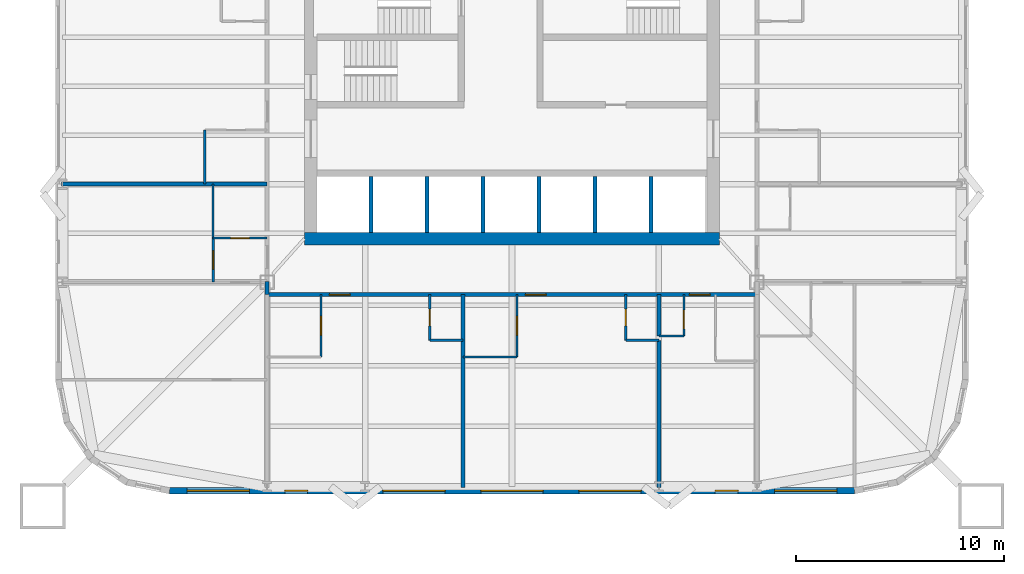
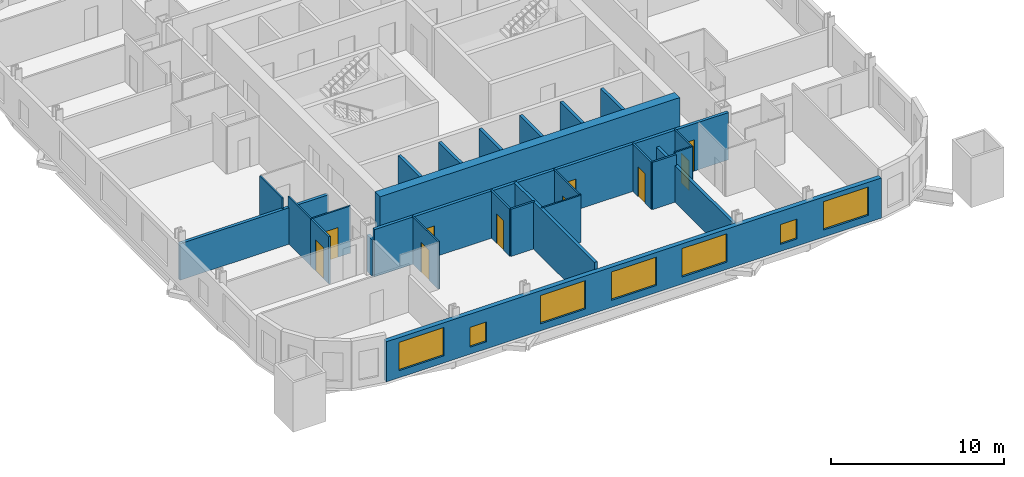
# One storey, part 3 of 9: 27 walls, 10 doors, 7 windows, 17 openings.
"""IFC4 building model written with IfcOpenShell, lengths in metres."""

from ifc_helpers import new_model, si_unit, direction, frame, frame_2d, origin, place, context, subcontext, project, spatial, rectangle, extrude, material, layer, layer_set, type_object, element, fill, save


model = new_model("IFC4")

# Units and contexts
model_context = context("Model", 3, precision=1e-05, world=origin(), true_north=direction((0.0, 1.0)))
body_context = subcontext(model_context, "Body", "Model", "MODEL_VIEW")
ifc_project = project(units=[si_unit("LENGTHUNIT", "METRE"), si_unit("AREAUNIT", "SQUARE_METRE"), si_unit("VOLUMEUNIT", "CUBIC_METRE"), si_unit("PLANEANGLEUNIT", "RADIAN"), si_unit("MASSUNIT", "GRAM", prefix="KILO")], contexts=[model_context])

# Site, building, storey
site_placement = place(None, origin())
site = spatial("IfcSite", under=ifc_project, at=site_placement, CompositionType="ELEMENT")
building_placement = place(site_placement, origin())
building = spatial("IfcBuilding", under=site, at=building_placement, Name="Turquesa Mirador Hotel Tower", CompositionType="ELEMENT")
storey_placement = place(building_placement, frame((0.0, 0.0, 67.0)))
storey = spatial("IfcBuildingStorey", under=building, at=storey_placement, Name="L17", CompositionType="ELEMENT", Elevation=67.0)

# Walls
ifc_material_1 = material(Name="Gypsum board on steel studs", Category="steel")
ifc_layer_1 = layer(ifc_material_1, 0.10009765625)
ifc_layer_set_1 = layer_set([ifc_layer_1], Name="BATHROOM WALL 100")
wall_type_1 = type_object("IfcWallType", Name="BATHROOM WALL 100", PredefinedType="PARTITIONING", material=ifc_layer_set_1)
wall_1_placement = place(storey_placement, frame((62.080078125, 30.60009765625, 0.0), z_axis=(0.0, 0.0, 1.0), x_axis=(1.0, 0.0, 0.0)))
element("IfcWall", 1, at=wall_1_placement, inside=storey, type_object=wall_type_1, Name="Partition L17 005", PredefinedType="PARTITIONING", context=body_context, shape_type="SweptSolid", body=[
    extrude(rectangle(XDim=1.199951171875, YDim=0.10009765625, at=frame_2d((0.60009765625, 0.0))), origin(), (0.0, 0.0, 1.0), 3.330078125),
])
wall_2_placement = place(storey_placement, frame((52.639892578125, 29.60009765625, 0.0), z_axis=(0.0, 0.0, 1.0), x_axis=(1.0, 0.0, 0.0)))
element("IfcWall", 2, at=wall_2_placement, inside=storey, type_object=wall_type_1, Name="Partition L17 010", PredefinedType="PARTITIONING", context=body_context, shape_type="SweptSolid", body=[
    extrude(rectangle(XDim=2.60009765625, YDim=0.10009765625, at=frame_2d((1.300048828125, 0.0))), origin(), (0.0, 0.0, 1.0), 3.330078125),
])

# Wall, opening, door
wall_3_placement = place(storey_placement, frame((40.60009765625, 35.320068359375, 0.0), z_axis=(0.0, 0.0, 1.0), x_axis=(1.0, 0.0, 0.0)))
wall_3 = element("IfcWall", 3, at=wall_3_placement, inside=storey, type_object=wall_type_1, Name="Partition L17 018", PredefinedType="PARTITIONING", context=body_context, shape_type="SweptSolid", body=[
    extrude(rectangle(XDim=2.599853515625, YDim=0.10009765625, at=frame_2d((1.2998046875, 0.0))), origin(), (0.0, 0.0, 1.0), 3.330078125),
])
opening_1_placement = place(wall_3_placement, frame((0.85009765625, 0.0, 0.0)))
opening_1 = element("IfcOpeningElement", 4, at=opening_1_placement, cuts=wall_3, Name="Opening D02", PredefinedType="OPENING", context=body_context, shape_type="SweptSolid", body=[
    extrude(rectangle(XDim=0.89990234375, YDim=2.10009765625, at=frame_2d((0.449951171875, 1.050048828125))), frame((0.0, 0.06005859375, 0.0), z_axis=(0.0, -1.0, 0.0), x_axis=(1.0, 0.0, 0.0)), (0.0, 0.0, 1.0), 0.1201171875),
])
ifc_material_2 = material(Name="Timber veneered door", Category="wood")
door_type_1 = type_object("IfcDoorType", Name="DOOR 900X2100 EN-SUITE", OperationType="SINGLE_SWING_RIGHT", PredefinedType="DOOR", material=ifc_material_2)
door_1_placement = place(opening_1_placement, origin())
door_1 = element("IfcDoor", 5, at=door_1_placement, inside=storey, type_object=door_type_1, Name="Door 1712B", OperationType="SINGLE_SWING_RIGHT", OverallHeight=2.10009765625, OverallWidth=0.89990234375, PredefinedType="DOOR", context=body_context, shape_type="SweptSolid", body=[
    extrude(rectangle(XDim=0.89990234375, YDim=2.10009765625, at=frame_2d((0.449951171875, 1.050048828125))), frame((0.0, 0.02490234375, 0.0), z_axis=(0.0, -1.0, 0.0), x_axis=(1.0, 0.0, 0.0)), (0.0, 0.0, 1.0), 0.050048828125),
])
fill(opening_1, door_1)

# Walls
wall_4_placement = place(storey_placement, frame((40.60009765625, 35.320068359375, 0.0), z_axis=(0.0, 0.0, 1.0), x_axis=(0.0, 1.0, 0.0)))
element("IfcWall", 6, at=wall_4_placement, inside=storey, type_object=wall_type_1, Name="Partition L17 046", PredefinedType="PARTITIONING", context=body_context, shape_type="SweptSolid", body=[
    extrude(rectangle(XDim=2.599853515625, YDim=0.10009765625, at=frame_2d((1.2998046875, 0.0))), origin(), (0.0, 0.0, 1.0), 3.330078125),
])
wall_5_placement = place(storey_placement, frame((40.199951171875, 37.919921875, 0.0), z_axis=(0.0, 0.0, 1.0), x_axis=(0.0, 1.0, 0.0)))
element("IfcWall", 7, at=wall_5_placement, inside=storey, type_object=wall_type_1, Name="Partition L17 050", PredefinedType="PARTITIONING", context=body_context, shape_type="SweptSolid", body=[
    extrude(rectangle(XDim=2.60009765625, YDim=0.10009765625, at=frame_2d((1.300048828125, 0.0))), origin(), (0.0, 0.0, 1.0), 3.330078125),
])

# Wall, opening, door
wall_6_placement = place(storey_placement, frame((45.800048828125, 29.60009765625, 0.0), z_axis=(0.0, 0.0, 1.0), x_axis=(0.0, 1.0, 0.0)))
wall_6 = element("IfcWall", 8, at=wall_6_placement, inside=storey, type_object=wall_type_1, Name="Partition L17 055", PredefinedType="PARTITIONING", context=body_context, shape_type="SweptSolid", body=[
    extrude(rectangle(XDim=3.0, YDim=0.10009765625, at=frame_2d((1.5, 0.0))), origin(), (0.0, 0.0, 1.0), 3.330078125),
])
opening_2_placement = place(wall_6_placement, frame((1.050048828125, 0.0, 0.0)))
opening_2 = element("IfcOpeningElement", 9, at=opening_2_placement, cuts=wall_6, Name="Opening D02", PredefinedType="OPENING", context=body_context, shape_type="SweptSolid", body=[
    extrude(rectangle(XDim=0.89990234375, YDim=2.10009765625, at=frame_2d((0.449951171875, 1.050048828125))), frame((0.0, 0.06005859375, 0.0), z_axis=(0.0, -1.0, 0.0), x_axis=(1.0, 0.0, 0.0)), (0.0, 0.0, 1.0), 0.1201171875),
])
door_2_placement = place(opening_2_placement, origin())
door_2 = element("IfcDoor", 10, at=door_2_placement, inside=storey, type_object=door_type_1, Name="Door 1703B", OperationType="SINGLE_SWING_RIGHT", OverallHeight=2.10009765625, OverallWidth=0.89990234375, PredefinedType="DOOR", context=body_context, shape_type="SweptSolid", body=[
    extrude(rectangle(XDim=0.89990234375, YDim=2.10009765625, at=frame_2d((0.449951171875, 1.050048828125))), frame((0.0, 0.02490234375, 0.0), z_axis=(0.0, -1.0, 0.0), x_axis=(1.0, 0.0, 0.0)), (0.0, 0.0, 1.0), 0.050048828125),
])
fill(opening_2, door_2)

wall_7_placement = place(storey_placement, frame((55.239990234375, 29.60009765625, 0.0), z_axis=(0.0, 0.0, 1.0), x_axis=(0.0, 1.0, 0.0)))
wall_7 = element("IfcWall", 11, at=wall_7_placement, inside=storey, type_object=wall_type_1, Name="Partition L17 056", PredefinedType="PARTITIONING", context=body_context, shape_type="SweptSolid", body=[
    extrude(rectangle(XDim=3.0, YDim=0.10009765625, at=frame_2d((1.5, 0.0))), origin(), (0.0, 0.0, 1.0), 3.330078125),
])
opening_3_placement = place(wall_7_placement, frame((1.050048828125, 0.0, 0.0)))
opening_3 = element("IfcOpeningElement", 12, at=opening_3_placement, cuts=wall_7, Name="Opening D02", PredefinedType="OPENING", context=body_context, shape_type="SweptSolid", body=[
    extrude(rectangle(XDim=0.89990234375, YDim=2.10009765625, at=frame_2d((0.449951171875, 1.050048828125))), frame((0.0, 0.06005859375, 0.0), z_axis=(0.0, -1.0, 0.0), x_axis=(1.0, 0.0, 0.0)), (0.0, 0.0, 1.0), 0.1201171875),
])
door_3_placement = place(opening_3_placement, origin())
door_3 = element("IfcDoor", 13, at=door_3_placement, inside=storey, type_object=door_type_1, Name="Door 1704B", OperationType="SINGLE_SWING_RIGHT", OverallHeight=2.10009765625, OverallWidth=0.89990234375, PredefinedType="DOOR", context=body_context, shape_type="SweptSolid", body=[
    extrude(rectangle(XDim=0.89990234375, YDim=2.10009765625, at=frame_2d((0.449951171875, 1.050048828125))), frame((0.0, 0.02490234375, 0.0), z_axis=(0.0, -1.0, 0.0), x_axis=(1.0, 0.0, 0.0)), (0.0, 0.0, 1.0), 0.050048828125),
])
fill(opening_3, door_3)

wall_8_placement = place(storey_placement, frame((63.280029296875, 30.60009765625, 0.0), z_axis=(0.0, 0.0, 1.0), x_axis=(0.0, 1.0, 0.0)))
wall_8 = element("IfcWall", 14, at=wall_8_placement, inside=storey, type_object=wall_type_1, Name="Partition L17 075", PredefinedType="PARTITIONING", context=body_context, shape_type="SweptSolid", body=[
    extrude(rectangle(XDim=2.0, YDim=0.10009765625, at=frame_2d((1.0, 0.0))), origin(), (0.0, 0.0, 1.0), 3.330078125),
])
opening_4_placement = place(wall_8_placement, frame((0.35009765625, 0.0, 0.0)))
opening_4 = element("IfcOpeningElement", 15, at=opening_4_placement, cuts=wall_8, Name="Opening D06", PredefinedType="OPENING", context=body_context, shape_type="SweptSolid", body=[
    extrude(rectangle(XDim=0.89990234375, YDim=2.10009765625, at=frame_2d((0.449951171875, 1.050048828125))), frame((0.0, 0.06005859375, 0.0), z_axis=(0.0, -1.0, 0.0), x_axis=(1.0, 0.0, 0.0)), (0.0, 0.0, 1.0), 0.1201171875),
])
ifc_material_3 = material(Name="Laminate door", Category="wood")
door_type_2 = type_object("IfcDoorType", Name="DOOR 900X2100 WC", OperationType="SINGLE_SWING_LEFT", PredefinedType="DOOR", material=ifc_material_3)
door_4_placement = place(opening_4_placement, origin())
door_4 = element("IfcDoor", 16, at=door_4_placement, inside=storey, type_object=door_type_2, Name="Door 1705W", OperationType="SINGLE_SWING_LEFT", OverallHeight=2.10009765625, OverallWidth=0.89990234375, PredefinedType="DOOR", context=body_context, shape_type="SweptSolid", body=[
    extrude(rectangle(XDim=0.89990234375, YDim=2.10009765625, at=frame_2d((0.449951171875, 1.050048828125))), frame((0.0, 0.02490234375, 0.0), z_axis=(0.0, -1.0, 0.0), x_axis=(1.0, 0.0, 0.0)), (0.0, 0.0, 1.0), 0.050048828125),
])
fill(opening_4, door_4)

# Wall
ifc_material_4 = material(Name="Concrete C50/60", Category="concrete")
ifc_layer_2 = layer(ifc_material_4, 0.60009765625)
ifc_layer_set_2 = layer_set([ifc_layer_2], Name="CORE WALL 600")
wall_type_2 = type_object("IfcWallType", Name="CORE WALL 600", PredefinedType="SHEAR", material=ifc_layer_set_2)
wall_9_placement = place(storey_placement, frame((45.0, 35.300048828125, 0.0), z_axis=(0.0, 0.0, 1.0), x_axis=(1.0, 0.0, 0.0)))
element("IfcWall", 17, at=wall_9_placement, inside=storey, type_object=wall_type_2, Name="Core wall S", PredefinedType="SHEAR", context=body_context, shape_type="SweptSolid", body=[
    extrude(rectangle(XDim=20.0, YDim=0.60009765625, at=frame_2d((10.0, 0.0))), origin(), (0.0, 0.0, 1.0), 3.5),
])

# Wall, openings, doors
ifc_material_5 = material(Name="Fire-rated gypsum board on steel studs", Category="steel")
ifc_layer_3 = layer(ifc_material_5, 0.199951171875)
ifc_layer_set_3 = layer_set([ifc_layer_3], Name="CORRIDOR WALL 200")
wall_type_3 = type_object("IfcWallType", Name="CORRIDOR WALL 200", PredefinedType="PARTITIONING", material=ifc_layer_set_3)
wall_10_placement = place(storey_placement, frame((43.199951171875, 32.60009765625, 0.0), z_axis=(0.0, 0.0, 1.0), x_axis=(1.0, 0.0, 0.0)))
wall_10 = element("IfcWall", 18, at=wall_10_placement, inside=storey, type_object=wall_type_3, Name="Partition L17 004", PredefinedType="PARTITIONING", context=body_context, shape_type="SweptSolid", body=[
    extrude(rectangle(XDim=23.60009765625, YDim=0.199951171875, at=frame_2d((11.800048828125, 0.0))), origin(), (0.0, 0.0, 1.0), 3.330078125),
])
opening_5_placement = place(wall_10_placement, frame((3.0, 0.0, 0.0)))
opening_5 = element("IfcOpeningElement", 19, at=opening_5_placement, cuts=wall_10, Name="Opening D01", PredefinedType="OPENING", context=body_context, shape_type="SweptSolid", body=[
    extrude(rectangle(XDim=1.0, YDim=2.199951171875, at=frame_2d((0.5, 1.10009765625))), frame((0.0, 0.10986328125, 0.0), z_axis=(0.0, -1.0, 0.0), x_axis=(1.0, 0.0, 0.0)), (0.0, 0.0, 1.0), 0.219970703125),
])
opening_6_placement = place(wall_10_placement, frame((12.43994140625, 0.0, 0.0)))
opening_6 = element("IfcOpeningElement", 20, at=opening_6_placement, cuts=wall_10, Name="Opening D01", PredefinedType="OPENING", context=body_context, shape_type="SweptSolid", body=[
    extrude(rectangle(XDim=1.0, YDim=2.199951171875, at=frame_2d((0.5, 1.10009765625))), frame((0.0, 0.10986328125, 0.0), z_axis=(0.0, -1.0, 0.0), x_axis=(1.0, 0.0, 0.0)), (0.0, 0.0, 1.0), 0.219970703125),
])
opening_7_placement = place(wall_10_placement, frame((20.340087890625, 0.0, 0.0)))
opening_7 = element("IfcOpeningElement", 21, at=opening_7_placement, cuts=wall_10, Name="Opening D01", PredefinedType="OPENING", context=body_context, shape_type="SweptSolid", body=[
    extrude(rectangle(XDim=1.0, YDim=2.199951171875, at=frame_2d((0.5, 1.10009765625))), frame((0.0, 0.10986328125, 0.0), z_axis=(0.0, -1.0, 0.0), x_axis=(1.0, 0.0, 0.0)), (0.0, 0.0, 1.0), 0.219970703125),
])
ifc_material_6 = material(Name="Timber veneered fire door", Category="wood")
door_type_3 = type_object("IfcDoorType", Name="DOOR 1000X2200 GUEST ENTRY", OperationType="SINGLE_SWING_LEFT", PredefinedType="DOOR", material=ifc_material_6)
door_5_placement = place(opening_5_placement, origin())
door_5 = element("IfcDoor", 22, at=door_5_placement, inside=storey, type_object=door_type_3, Name="Door 1703", OperationType="SINGLE_SWING_LEFT", OverallHeight=2.199951171875, OverallWidth=1.0, PredefinedType="DOOR", context=body_context, shape_type="SweptSolid", body=[
    extrude(rectangle(XDim=1.0, YDim=2.199951171875, at=frame_2d((0.5, 1.10009765625))), frame((0.0, 0.02490234375, 0.0), z_axis=(0.0, -1.0, 0.0), x_axis=(1.0, 0.0, 0.0)), (0.0, 0.0, 1.0), 0.050048828125),
])
fill(opening_5, door_5)
door_6_placement = place(opening_6_placement, origin())
door_6 = element("IfcDoor", 23, at=door_6_placement, inside=storey, type_object=door_type_3, Name="Door 1704", OperationType="SINGLE_SWING_LEFT", OverallHeight=2.199951171875, OverallWidth=1.0, PredefinedType="DOOR", context=body_context, shape_type="SweptSolid", body=[
    extrude(rectangle(XDim=1.0, YDim=2.199951171875, at=frame_2d((0.5, 1.10009765625))), frame((0.0, 0.02490234375, 0.0), z_axis=(0.0, -1.0, 0.0), x_axis=(1.0, 0.0, 0.0)), (0.0, 0.0, 1.0), 0.050048828125),
])
fill(opening_6, door_6)
door_7_placement = place(opening_7_placement, origin())
door_7 = element("IfcDoor", 24, at=door_7_placement, inside=storey, type_object=door_type_3, Name="Door 1705", OperationType="SINGLE_SWING_LEFT", OverallHeight=2.199951171875, OverallWidth=1.0, PredefinedType="DOOR", context=body_context, shape_type="SweptSolid", body=[
    extrude(rectangle(XDim=1.0, YDim=2.199951171875, at=frame_2d((0.5, 1.10009765625))), frame((0.0, 0.02490234375, 0.0), z_axis=(0.0, -1.0, 0.0), x_axis=(1.0, 0.0, 0.0)), (0.0, 0.0, 1.0), 0.050048828125),
])
fill(opening_7, door_7)

# Wall
wall_11_placement = place(storey_placement, frame((43.199951171875, 32.60009765625, 0.0), z_axis=(0.0, 0.0, 1.0), x_axis=(0.0, 1.0, 0.0)))
element("IfcWall", 25, at=wall_11_placement, inside=storey, type_object=wall_type_3, Name="Partition L17 077", PredefinedType="PARTITIONING", context=body_context, shape_type="SweptSolid", body=[
    extrude(rectangle(XDim=0.619873046875, YDim=0.199951171875, at=frame_2d((0.31005859375, 0.0))), origin(), (0.0, 0.0, 1.0), 2.572998046875),
])

# Wall, openings, windows
ifc_material_7 = material(Name="Limestone cladding on concrete block", Category="masonry")
ifc_layer_4 = layer(ifc_material_7, 0.300048828125)
ifc_layer_set_4 = layer_set([ifc_layer_4], Name="FACADE WALL 300 STONE SCREEN")
wall_type_4 = type_object("IfcWallType", Name="FACADE WALL 300 STONE SCREEN", PredefinedType="SOLIDWALL", material=ifc_layer_set_4)
wall_12_placement = place(storey_placement, frame((38.5, 23.14990234375, 0.0), z_axis=(0.0, 0.0, 1.0), x_axis=(1.0, 0.0, 0.0)))
wall_12 = element("IfcWall", 26, at=wall_12_placement, inside=storey, type_object=wall_type_4, Name="Facade wall L17 19", PredefinedType="SOLIDWALL", context=body_context, shape_type="SweptSolid", body=[
    extrude(rectangle(XDim=33.0, YDim=0.300048828125, at=frame_2d((16.5, 0.0))), origin(), (0.0, 0.0, 1.0), 2.830078125),
])
opening_8_placement = place(wall_12_placement, frame((0.85009765625, 0.0, 0.5)))
opening_8 = element("IfcOpeningElement", 27, at=opening_8_placement, cuts=wall_12, Name="Opening WN1", PredefinedType="OPENING", context=body_context, shape_type="SweptSolid", body=[
    extrude(rectangle(XDim=3.0, YDim=2.0, at=frame_2d((1.5, 1.0))), frame((0.0, 0.159912109375, 0.0), z_axis=(0.0, -1.0, 0.0), x_axis=(1.0, 0.0, 0.0)), (0.0, 0.0, 1.0), 0.320068359375),
])
opening_9_placement = place(wall_12_placement, frame((5.56005859375, 0.0, 0.5)))
opening_9 = element("IfcOpeningElement", 28, at=opening_9_placement, cuts=wall_12, Name="Opening WN37", PredefinedType="OPENING", context=body_context, shape_type="SweptSolid", body=[
    extrude(rectangle(XDim=1.10009765625, YDim=1.39990234375, at=frame_2d((0.550048828125, 0.699951171875))), frame((0.0, 0.159912109375, 0.0), z_axis=(0.0, -1.0, 0.0), x_axis=(1.0, 0.0, 0.0)), (0.0, 0.0, 1.0), 0.320068359375),
])
opening_10_placement = place(wall_12_placement, frame((10.280029296875, 0.0, 0.5)))
opening_10 = element("IfcOpeningElement", 29, at=opening_10_placement, cuts=wall_12, Name="Opening WN1", PredefinedType="OPENING", context=body_context, shape_type="SweptSolid", body=[
    extrude(rectangle(XDim=3.0, YDim=2.0, at=frame_2d((1.5, 1.0))), frame((0.0, 0.159912109375, 0.0), z_axis=(0.0, -1.0, 0.0), x_axis=(1.0, 0.0, 0.0)), (0.0, 0.0, 1.0), 0.320068359375),
])
opening_11_placement = place(wall_12_placement, frame((15.0, 0.0, 0.5)))
opening_11 = element("IfcOpeningElement", 30, at=opening_11_placement, cuts=wall_12, Name="Opening WN1", PredefinedType="OPENING", context=body_context, shape_type="SweptSolid", body=[
    extrude(rectangle(XDim=3.0, YDim=2.0, at=frame_2d((1.5, 1.0))), frame((0.0, 0.159912109375, 0.0), z_axis=(0.0, -1.0, 0.0), x_axis=(1.0, 0.0, 0.0)), (0.0, 0.0, 1.0), 0.320068359375),
])
opening_12_placement = place(wall_12_placement, frame((19.719970703125, 0.0, 0.5)))
opening_12 = element("IfcOpeningElement", 31, at=opening_12_placement, cuts=wall_12, Name="Opening WN1", PredefinedType="OPENING", context=body_context, shape_type="SweptSolid", body=[
    extrude(rectangle(XDim=3.0, YDim=2.0, at=frame_2d((1.5, 1.0))), frame((0.0, 0.159912109375, 0.0), z_axis=(0.0, -1.0, 0.0), x_axis=(1.0, 0.0, 0.0)), (0.0, 0.0, 1.0), 0.320068359375),
])
opening_13_placement = place(wall_12_placement, frame((26.2900390625, 0.0, 0.5)))
opening_13 = element("IfcOpeningElement", 32, at=opening_13_placement, cuts=wall_12, Name="Opening WN37", PredefinedType="OPENING", context=body_context, shape_type="SweptSolid", body=[
    extrude(rectangle(XDim=1.10009765625, YDim=1.39990234375, at=frame_2d((0.550048828125, 0.699951171875))), frame((0.0, 0.159912109375, 0.0), z_axis=(0.0, -1.0, 0.0), x_axis=(1.0, 0.0, 0.0)), (0.0, 0.0, 1.0), 0.320068359375),
])
opening_14_placement = place(wall_12_placement, frame((29.14990234375, 0.0, 0.5)))
opening_14 = element("IfcOpeningElement", 33, at=opening_14_placement, cuts=wall_12, Name="Opening WN1", PredefinedType="OPENING", context=body_context, shape_type="SweptSolid", body=[
    extrude(rectangle(XDim=3.0, YDim=2.0, at=frame_2d((1.5, 1.0))), frame((0.0, 0.159912109375, 0.0), z_axis=(0.0, -1.0, 0.0), x_axis=(1.0, 0.0, 0.0)), (0.0, 0.0, 1.0), 0.320068359375),
])
ifc_material_8 = material(Name="Ceramic-fritted laminated glass", Category="glass")
window_type_1 = type_object("IfcWindowType", Name="FRITTED WINDOW 1100X1400", PartitioningType="DOUBLE_PANEL_HORIZONTAL", PredefinedType="WINDOW", material=ifc_material_8)
window_1_placement = place(opening_9_placement, origin())
window_1 = element("IfcWindow", 34, at=window_1_placement, inside=storey, type_object=window_type_1, Name="Window L17", OverallHeight=1.39990234375, OverallWidth=1.10009765625, PartitioningType="SINGLE_PANEL", PredefinedType="WINDOW", context=body_context, shape_type="SweptSolid", body=[
    extrude(rectangle(XDim=1.10009765625, YDim=1.39990234375, at=frame_2d((0.550048828125, 0.699951171875))), frame((0.0, 0.030029296875, 0.0), z_axis=(0.0, -1.0, 0.0), x_axis=(1.0, 0.0, 0.0)), (0.0, 0.0, 1.0), 0.06005859375),
])
fill(opening_9, window_1)
window_2_placement = place(opening_13_placement, origin())
window_2 = element("IfcWindow", 35, at=window_2_placement, inside=storey, type_object=window_type_1, Name="Window L17", OverallHeight=1.39990234375, OverallWidth=1.10009765625, PartitioningType="SINGLE_PANEL", PredefinedType="WINDOW", context=body_context, shape_type="SweptSolid", body=[
    extrude(rectangle(XDim=1.10009765625, YDim=1.39990234375, at=frame_2d((0.550048828125, 0.699951171875))), frame((0.0, 0.030029296875, 0.0), z_axis=(0.0, -1.0, 0.0), x_axis=(1.0, 0.0, 0.0)), (0.0, 0.0, 1.0), 0.06005859375),
])
fill(opening_13, window_2)
ifc_material_9 = material(Name="Ceramic-fritted laminated glass", Category="glass")
window_type_2 = type_object("IfcWindowType", Name="FRITTED WINDOW 3000X2000", PartitioningType="DOUBLE_PANEL_HORIZONTAL", PredefinedType="WINDOW", material=ifc_material_9)
window_3_placement = place(opening_8_placement, origin())
window_3 = element("IfcWindow", 36, at=window_3_placement, inside=storey, type_object=window_type_2, Name="Window L17", OverallHeight=2.0, OverallWidth=3.0, PartitioningType="SINGLE_PANEL", PredefinedType="WINDOW", context=body_context, shape_type="SweptSolid", body=[
    extrude(rectangle(XDim=3.0, YDim=2.0, at=frame_2d((1.5, 1.0))), frame((0.0, 0.030029296875, 0.0), z_axis=(0.0, -1.0, 0.0), x_axis=(1.0, 0.0, 0.0)), (0.0, 0.0, 1.0), 0.06005859375),
])
fill(opening_8, window_3)
window_4_placement = place(opening_10_placement, origin())
window_4 = element("IfcWindow", 37, at=window_4_placement, inside=storey, type_object=window_type_2, Name="Window L17", OverallHeight=2.0, OverallWidth=3.0, PartitioningType="SINGLE_PANEL", PredefinedType="WINDOW", context=body_context, shape_type="SweptSolid", body=[
    extrude(rectangle(XDim=3.0, YDim=2.0, at=frame_2d((1.5, 1.0))), frame((0.0, 0.030029296875, 0.0), z_axis=(0.0, -1.0, 0.0), x_axis=(1.0, 0.0, 0.0)), (0.0, 0.0, 1.0), 0.06005859375),
])
fill(opening_10, window_4)
window_5_placement = place(opening_11_placement, origin())
window_5 = element("IfcWindow", 38, at=window_5_placement, inside=storey, type_object=window_type_2, Name="Window L17", OverallHeight=2.0, OverallWidth=3.0, PartitioningType="SINGLE_PANEL", PredefinedType="WINDOW", context=body_context, shape_type="SweptSolid", body=[
    extrude(rectangle(XDim=3.0, YDim=2.0, at=frame_2d((1.5, 1.0))), frame((0.0, 0.030029296875, 0.0), z_axis=(0.0, -1.0, 0.0), x_axis=(1.0, 0.0, 0.0)), (0.0, 0.0, 1.0), 0.06005859375),
])
fill(opening_11, window_5)
window_6_placement = place(opening_12_placement, origin())
window_6 = element("IfcWindow", 39, at=window_6_placement, inside=storey, type_object=window_type_2, Name="Window L17", OverallHeight=2.0, OverallWidth=3.0, PartitioningType="SINGLE_PANEL", PredefinedType="WINDOW", context=body_context, shape_type="SweptSolid", body=[
    extrude(rectangle(XDim=3.0, YDim=2.0, at=frame_2d((1.5, 1.0))), frame((0.0, 0.030029296875, 0.0), z_axis=(0.0, -1.0, 0.0), x_axis=(1.0, 0.0, 0.0)), (0.0, 0.0, 1.0), 0.06005859375),
])
fill(opening_12, window_6)
window_7_placement = place(opening_14_placement, origin())
window_7 = element("IfcWindow", 40, at=window_7_placement, inside=storey, type_object=window_type_2, Name="Window L17", OverallHeight=2.0, OverallWidth=3.0, PartitioningType="SINGLE_PANEL", PredefinedType="WINDOW", context=body_context, shape_type="SweptSolid", body=[
    extrude(rectangle(XDim=3.0, YDim=2.0, at=frame_2d((1.5, 1.0))), frame((0.0, 0.030029296875, 0.0), z_axis=(0.0, -1.0, 0.0), x_axis=(1.0, 0.0, 0.0)), (0.0, 0.0, 1.0), 0.06005859375),
])
fill(opening_14, window_7)

# Walls
ifc_material_10 = material(Name="Fire-rated gypsum shaft wall on steel studs", Category="steel")
ifc_layer_5 = layer(ifc_material_10, 0.199951171875)
ifc_layer_set_5 = layer_set([ifc_layer_5], Name="LIFT SHAFT DIVIDER 200")
wall_type_5 = type_object("IfcWallType", Name="LIFT SHAFT DIVIDER 200", PredefinedType="PARTITIONING", material=ifc_layer_set_5)
for number, where, z_axis, x_axis, name in (
    (41, (48.199951171875, 35.60009765625, 0.0), (0.0, 0.0, 1.0), (0.0, 1.0, 0.0), "Lift shaft divider"),
    (42, (50.89990234375, 35.60009765625, 0.0), (0.0, 0.0, 1.0), (0.0, 1.0, 0.0), "Lift shaft divider"),
    (43, (53.60009765625, 35.60009765625, 0.0), (0.0, 0.0, 1.0), (0.0, 1.0, 0.0), "Lift shaft divider"),
    (44, (56.300048828125, 35.60009765625, 0.0), (0.0, 0.0, 1.0), (0.0, 1.0, 0.0), "Lift shaft divider"),
    (45, (59.0, 35.60009765625, 0.0), (0.0, 0.0, 1.0), (0.0, 1.0, 0.0), "Lift shaft divider"),
    (46, (61.699951171875, 35.60009765625, 0.0), (0.0, 0.0, 1.0), (0.0, 1.0, 0.0), "Lift shaft divider"),
):
    element("IfcWall", number, at=place(storey_placement, frame(where, z_axis=z_axis, x_axis=x_axis)), inside=storey, type_object=wall_type_5, Name=name, PredefinedType="PARTITIONING", context=body_context, shape_type="SweptSolid", body=[
        extrude(rectangle(XDim=2.699951171875, YDim=0.199951171875, at=frame_2d((1.35009765625, 0.0))), origin(), (0.0, 0.0, 1.0), 3.330078125),
    ])
ifc_material_11 = material(Name="Fire-rated gypsum board on steel studs", Category="steel")
ifc_layer_6 = layer(ifc_material_11, 0.199951171875)
ifc_layer_set_6 = layer_set([ifc_layer_6], Name="PARTY WALL 200")
wall_type_6 = type_object("IfcWallType", Name="PARTY WALL 200", PredefinedType="PARTITIONING", material=ifc_layer_set_6)
wall_13_placement = place(storey_placement, frame((33.300048828125, 37.919921875, 0.0), z_axis=(0.0, 0.0, 1.0), x_axis=(1.0, 0.0, 0.0)))
element("IfcWall", 47, at=wall_13_placement, inside=storey, type_object=wall_type_6, Name="Partition L17 015", PredefinedType="PARTITIONING", context=body_context, shape_type="SweptSolid", body=[
    extrude(rectangle(XDim=9.89990234375, YDim=0.199951171875, at=frame_2d((4.949951171875, 0.0))), origin(), (0.0, 0.0, 1.0), 2.572998046875),
])
wall_14_placement = place(storey_placement, frame((52.639892578125, 23.300048828125, 0.0), z_axis=(0.0, 0.0, 1.0), x_axis=(0.0, 1.0, 0.0)))
element("IfcWall", 48, at=wall_14_placement, inside=storey, type_object=wall_type_6, Name="Partition L17 052", PredefinedType="PARTITIONING", context=body_context, shape_type="SweptSolid", body=[
    extrude(rectangle(XDim=9.300048828125, YDim=0.199951171875, at=frame_2d((4.64990234375, 0.0))), origin(), (0.0, 0.0, 1.0), 3.330078125),
])
wall_15_placement = place(storey_placement, frame((62.080078125, 23.300048828125, 0.0), z_axis=(0.0, 0.0, 1.0), x_axis=(0.0, 1.0, 0.0)))
element("IfcWall", 49, at=wall_15_placement, inside=storey, type_object=wall_type_6, Name="Partition L17 073", PredefinedType="PARTITIONING", context=body_context, shape_type="SweptSolid", body=[
    extrude(rectangle(XDim=7.099853515625, YDim=0.199951171875, at=frame_2d((3.5498046875, 0.0))), origin(), (0.0, 0.0, 1.0), 2.572998046875),
])
wall_16_placement = place(storey_placement, frame((62.080078125, 30.60009765625, 0.0), z_axis=(0.0, 0.0, 1.0), x_axis=(0.0, 1.0, 0.0)))
element("IfcWall", 50, at=wall_16_placement, inside=storey, type_object=wall_type_6, Name="Partition L17 074", PredefinedType="PARTITIONING", context=body_context, shape_type="SweptSolid", body=[
    extrude(rectangle(XDim=2.0, YDim=0.199951171875, at=frame_2d((1.0, 0.0))), origin(), (0.0, 0.0, 1.0), 2.572998046875),
])
ifc_material_12 = material(Name="Acoustic gypsum board on steel studs", Category="steel")
ifc_layer_7 = layer(ifc_material_12, 0.125)
ifc_layer_set_7 = layer_set([ifc_layer_7], Name="SUITE PARTITION 125")
wall_type_7 = type_object("IfcWallType", Name="SUITE PARTITION 125", PredefinedType="PARTITIONING", material=ifc_layer_set_7)
wall_17_placement = place(storey_placement, frame((51.0400390625, 30.39990234375, 0.0), z_axis=(0.0, 0.0, 1.0), x_axis=(1.0, 0.0, 0.0)))
element("IfcWall", 51, at=wall_17_placement, inside=storey, type_object=wall_type_7, Name="Partition L17 007", PredefinedType="PARTITIONING", context=body_context, shape_type="SweptSolid", body=[
    extrude(rectangle(XDim=1.599853515625, YDim=0.125, at=frame_2d((0.7998046875, 0.0))), origin(), (0.0, 0.0, 1.0), 3.330078125),
])
wall_18_placement = place(storey_placement, frame((60.47998046875, 30.39990234375, 0.0), z_axis=(0.0, 0.0, 1.0), x_axis=(1.0, 0.0, 0.0)))
element("IfcWall", 52, at=wall_18_placement, inside=storey, type_object=wall_type_7, Name="Partition L17 008", PredefinedType="PARTITIONING", context=body_context, shape_type="SweptSolid", body=[
    extrude(rectangle(XDim=1.60009765625, YDim=0.125, at=frame_2d((0.800048828125, 0.0))), origin(), (0.0, 0.0, 1.0), 3.330078125),
])

# Wall, opening, door
wall_19_placement = place(storey_placement, frame((40.60009765625, 33.199951171875, 0.0), z_axis=(0.0, 0.0, 1.0), x_axis=(0.0, 1.0, 0.0)))
wall_19 = element("IfcWall", 53, at=wall_19_placement, inside=storey, type_object=wall_type_7, Name="Partition L17 048", PredefinedType="PARTITIONING", context=body_context, shape_type="SweptSolid", body=[
    extrude(rectangle(XDim=2.1201171875, YDim=0.125, at=frame_2d((1.06005859375, 0.0))), origin(), (0.0, 0.0, 1.0), 3.330078125),
])
opening_15_placement = place(wall_19_placement, frame((0.610107421875, 0.0, 0.0)))
opening_15 = element("IfcOpeningElement", 54, at=opening_15_placement, cuts=wall_19, Name="Opening D17", PredefinedType="OPENING", context=body_context, shape_type="SweptSolid", body=[
    extrude(rectangle(XDim=0.89990234375, YDim=2.199951171875, at=frame_2d((0.449951171875, 1.10009765625))), frame((0.0, 0.072509765625, 0.0), z_axis=(0.0, -1.0, 0.0), x_axis=(1.0, 0.0, 0.0)), (0.0, 0.0, 1.0), 0.14501953125),
])
ifc_material_13 = material(Name="Timber veneered door", Category="wood")
door_type_4 = type_object("IfcDoorType", Name="DOOR 900X2200 SUITE INTERNAL", OperationType="SINGLE_SWING_LEFT", PredefinedType="DOOR", material=ifc_material_13)
door_8_placement = place(opening_15_placement, origin())
door_8 = element("IfcDoor", 55, at=door_8_placement, inside=storey, type_object=door_type_4, Name="Door 1712R", OperationType="SINGLE_SWING_LEFT", OverallHeight=2.199951171875, OverallWidth=0.89990234375, PredefinedType="DOOR", context=body_context, shape_type="SweptSolid", body=[
    extrude(rectangle(XDim=0.89990234375, YDim=2.199951171875, at=frame_2d((0.449951171875, 1.10009765625))), frame((0.0, 0.02490234375, 0.0), z_axis=(0.0, -1.0, 0.0), x_axis=(1.0, 0.0, 0.0)), (0.0, 0.0, 1.0), 0.050048828125),
])
fill(opening_15, door_8)

wall_20_placement = place(storey_placement, frame((51.0400390625, 30.39990234375, 0.0), z_axis=(0.0, 0.0, 1.0), x_axis=(0.0, 1.0, 0.0)))
wall_20 = element("IfcWall", 56, at=wall_20_placement, inside=storey, type_object=wall_type_7, Name="Partition L17 054", PredefinedType="PARTITIONING", context=body_context, shape_type="SweptSolid", body=[
    extrude(rectangle(XDim=2.2001953125, YDim=0.125, at=frame_2d((1.10009765625, 0.0))), origin(), (0.0, 0.0, 1.0), 3.330078125),
])
opening_16_placement = place(wall_20_placement, frame((0.699951171875, 0.0, 0.0)))
opening_16 = element("IfcOpeningElement", 57, at=opening_16_placement, cuts=wall_20, Name="Opening D20", PredefinedType="OPENING", context=body_context, shape_type="SweptSolid", body=[
    extrude(rectangle(XDim=0.800048828125, YDim=2.10009765625, at=frame_2d((0.39990234375, 1.050048828125))), frame((0.0, 0.072509765625, 0.0), z_axis=(0.0, -1.0, 0.0), x_axis=(1.0, 0.0, 0.0)), (0.0, 0.0, 1.0), 0.14501953125),
])
ifc_material_14 = material(Name="Timber veneered sliding door", Category="wood")
door_type_5 = type_object("IfcDoorType", Name="DOOR 800X2100 WARDROBE", OperationType="SLIDING_TO_LEFT", PredefinedType="DOOR", material=ifc_material_14)
door_9_placement = place(opening_16_placement, origin())
door_9 = element("IfcDoor", 58, at=door_9_placement, inside=storey, type_object=door_type_5, Name="Door 1703W", OperationType="SLIDING_TO_LEFT", OverallHeight=2.10009765625, OverallWidth=0.800048828125, PredefinedType="DOOR", context=body_context, shape_type="SweptSolid", body=[
    extrude(rectangle(XDim=0.800048828125, YDim=2.10009765625, at=frame_2d((0.39990234375, 1.050048828125))), frame((0.0, 0.02490234375, 0.0), z_axis=(0.0, -1.0, 0.0), x_axis=(1.0, 0.0, 0.0)), (0.0, 0.0, 1.0), 0.050048828125),
])
fill(opening_16, door_9)

wall_21_placement = place(storey_placement, frame((60.47998046875, 30.39990234375, 0.0), z_axis=(0.0, 0.0, 1.0), x_axis=(0.0, 1.0, 0.0)))
wall_21 = element("IfcWall", 59, at=wall_21_placement, inside=storey, type_object=wall_type_7, Name="Partition L17 072", PredefinedType="PARTITIONING", context=body_context, shape_type="SweptSolid", body=[
    extrude(rectangle(XDim=2.2001953125, YDim=0.125, at=frame_2d((1.10009765625, 0.0))), origin(), (0.0, 0.0, 1.0), 3.330078125),
])
opening_17_placement = place(wall_21_placement, frame((0.699951171875, 0.0, 0.0)))
opening_17 = element("IfcOpeningElement", 60, at=opening_17_placement, cuts=wall_21, Name="Opening D20", PredefinedType="OPENING", context=body_context, shape_type="SweptSolid", body=[
    extrude(rectangle(XDim=0.800048828125, YDim=2.10009765625, at=frame_2d((0.39990234375, 1.050048828125))), frame((0.0, 0.072509765625, 0.0), z_axis=(0.0, -1.0, 0.0), x_axis=(1.0, 0.0, 0.0)), (0.0, 0.0, 1.0), 0.14501953125),
])
door_10_placement = place(opening_17_placement, origin())
door_10 = element("IfcDoor", 61, at=door_10_placement, inside=storey, type_object=door_type_5, Name="Door 1704W", OperationType="SLIDING_TO_LEFT", OverallHeight=2.10009765625, OverallWidth=0.800048828125, PredefinedType="DOOR", context=body_context, shape_type="SweptSolid", body=[
    extrude(rectangle(XDim=0.800048828125, YDim=2.10009765625, at=frame_2d((0.39990234375, 1.050048828125))), frame((0.0, 0.02490234375, 0.0), z_axis=(0.0, -1.0, 0.0), x_axis=(1.0, 0.0, 0.0)), (0.0, 0.0, 1.0), 0.050048828125),
])
fill(opening_17, door_10)

save(model, "model.ifc")
